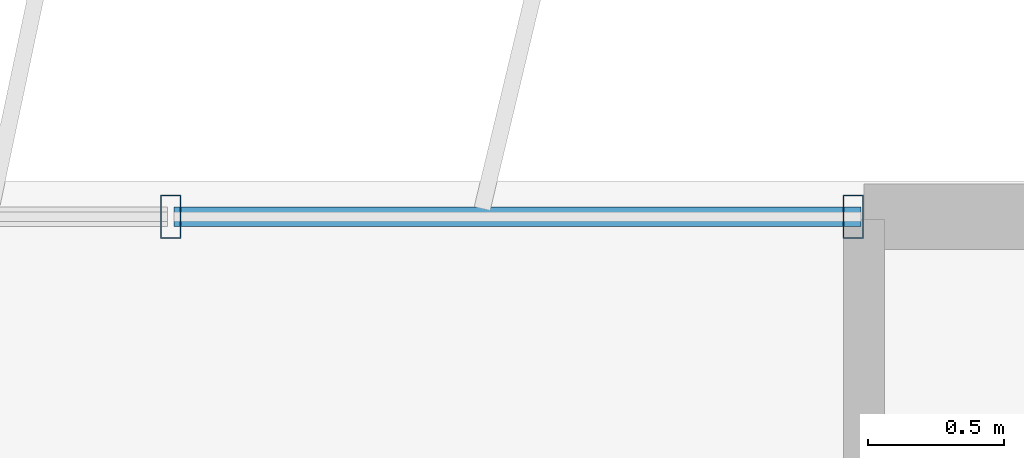
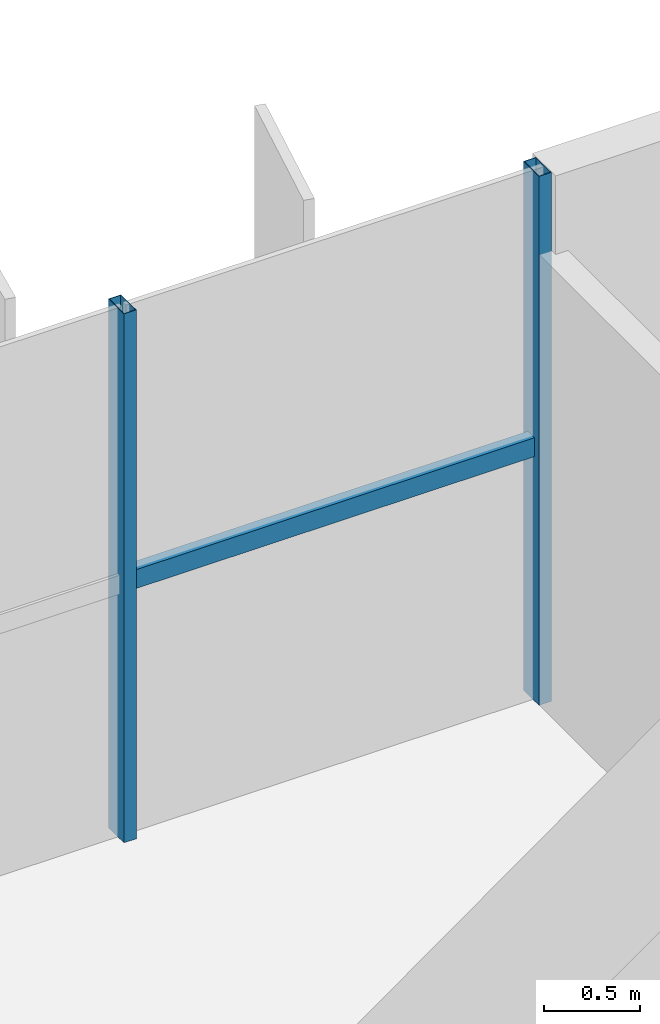
# One storey, part 14 of 23: 3 members, 1 element without a shape of its own.
"""IFC4 building model written with IfcOpenShell, lengths in metres."""

from ifc_helpers import new_model, si_unit, direction, frame, origin, origin_2d, place, context, subcontext, project, spatial, hollow_rectangle, extrude, source, transform, mapped, material, material_profile, profile_set, type_object, element, aggregate, save


model = new_model("IFC4")

# Units and contexts
model_context = context("Model", 3, precision=1e-05, world=origin(), true_north=direction((0.0, 1.0)))
body_context = subcontext(model_context, "Body", "Model", "MODEL_VIEW")
ifc_project = project(units=[si_unit("LENGTHUNIT", "METRE"), si_unit("AREAUNIT", "SQUARE_METRE"), si_unit("VOLUMEUNIT", "CUBIC_METRE"), si_unit("PLANEANGLEUNIT", "RADIAN"), si_unit("MASSUNIT", "GRAM", prefix="KILO")], contexts=[model_context])

# Site, building, storey
site_placement = place(None, origin())
site = spatial("IfcSite", under=ifc_project, at=site_placement, CompositionType="ELEMENT")
building_placement = place(site_placement, origin())
building = spatial("IfcBuilding", under=site, at=building_placement, Name="Trelvane Seafront Commons", CompositionType="ELEMENT")
storey_placement = place(building_placement, frame((0.0, 0.0, 263.10009765625)))
storey = spatial("IfcBuildingStorey", under=building, at=storey_placement, Name="L68", CompositionType="ELEMENT", Elevation=263.10009765625)

# Curtain wall, members
ifc_material = material(Name="Anodised pale-silver aluminium", Category="aluminium")
curtain_wall_type = type_object("IfcCurtainWallType", Name="ARCH-CW5-UPTOWER", PredefinedType="NOTDEFINED", material=ifc_material)
curtain_wall_placement = place(storey_placement, origin())
curtain_wall = element("IfcCurtainWall", 1, at=curtain_wall_placement, inside=storey, type_object=curtain_wall_type, Name="CW-L68-0112", PredefinedType="NOTDEFINED")
ifc_material_profile_1 = material_profile(ifc_material, hollow_rectangle(XDim=0.070068359375, YDim=0.1201171875, WallThickness=0.00390625, at=origin_2d()), Name="TRAN-70x120x4")
ifc_profile_set_1 = profile_set([ifc_material_profile_1], Name="Anodised pale-silver aluminium")
member_type_1 = type_object("IfcMemberType", Name="ARCH-CW-TRAN-120", PredefinedType="USERDEFINED", material=ifc_profile_set_1)
shared_shape_1 = source(origin(), body_context, "Body", "SweptSolid", [
    extrude(hollow_rectangle(XDim=0.070068359375, YDim=0.1201171875, WallThickness=0.00390625, at=origin_2d()), origin(), (0.0, 0.0, 1.0), 2.517333984375),
])
member_1_placement = place(storey_placement, frame((56.270751953125, 48.3701171875, 1.617919921875), z_axis=(1.0, 0.0, 0.0), x_axis=(0.0, 1.0, 0.0)))
member_1 = element("IfcMember", 2, at=member_1_placement, type_object=member_type_1, Name="CW-L68-0112-T16", ObjectType="TRANSOM", PredefinedType="USERDEFINED", context=body_context, shape_type="MappedRepresentation", body=[
    mapped(shared_shape_1, transform((0.0, 0.0, 0.0), x_axis=(1.0, 0.0, 0.0), y_axis=(0.0, 1.0, 0.0), z_axis=(0.0, 0.0, 1.0), scale=1.0)),
])
ifc_material_profile_2 = material_profile(ifc_material, hollow_rectangle(XDim=0.074951171875, YDim=0.159912109375, WallThickness=0.00390625, at=origin_2d()), Name="MULL-75x160x4")
ifc_profile_set_2 = profile_set([ifc_material_profile_2], Name="Anodised pale-silver aluminium")
member_type_2 = type_object("IfcMemberType", Name="ARCH-CW-MULL-160", PredefinedType="MULLION", material=ifc_profile_set_2)
shared_shape_2 = source(origin(), body_context, "Body", "SweptSolid", [
    extrude(hollow_rectangle(XDim=0.074951171875, YDim=0.159912109375, WallThickness=0.00390625, at=origin_2d()), origin(), (0.0, 0.0, 1.0), 3.369873046875),
])
member_2_placement = place(storey_placement, frame((56.2587890625, 48.3701171875, 0.0), z_axis=(0.0, 0.0, 1.0), x_axis=(1.0, 0.0, 0.0)))
member_2 = element("IfcMember", 3, at=member_2_placement, type_object=member_type_2, Name="CW-L68-0112-M16", PredefinedType="MULLION", context=body_context, shape_type="MappedRepresentation", body=[
    mapped(shared_shape_2, transform((0.0, 0.0, 0.0), x_axis=(1.0, 0.0, 0.0), y_axis=(0.0, 1.0, 0.0), z_axis=(0.0, 0.0, 1.0), scale=1.0)),
])
member_3_placement = place(storey_placement, frame((58.760009765625, 48.3701171875, 0.0), z_axis=(0.0, 0.0, 1.0), x_axis=(1.0, 0.0, 0.0)))
member_3 = element("IfcMember", 4, at=member_3_placement, type_object=member_type_2, Name="CW-L68-0112-M17", PredefinedType="MULLION", context=body_context, shape_type="MappedRepresentation", body=[
    mapped(shared_shape_2, transform((0.0, 0.0, 0.0), x_axis=(1.0, 0.0, 0.0), y_axis=(0.0, 1.0, 0.0), z_axis=(0.0, 0.0, 1.0), scale=1.0)),
])
aggregate(curtain_wall, [member_2, member_3, member_1])

save(model, "model.ifc")
